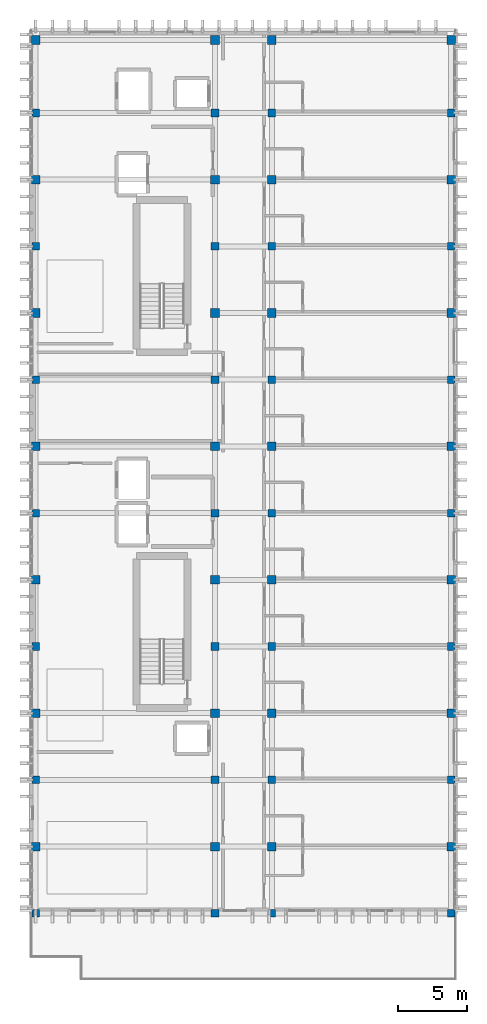
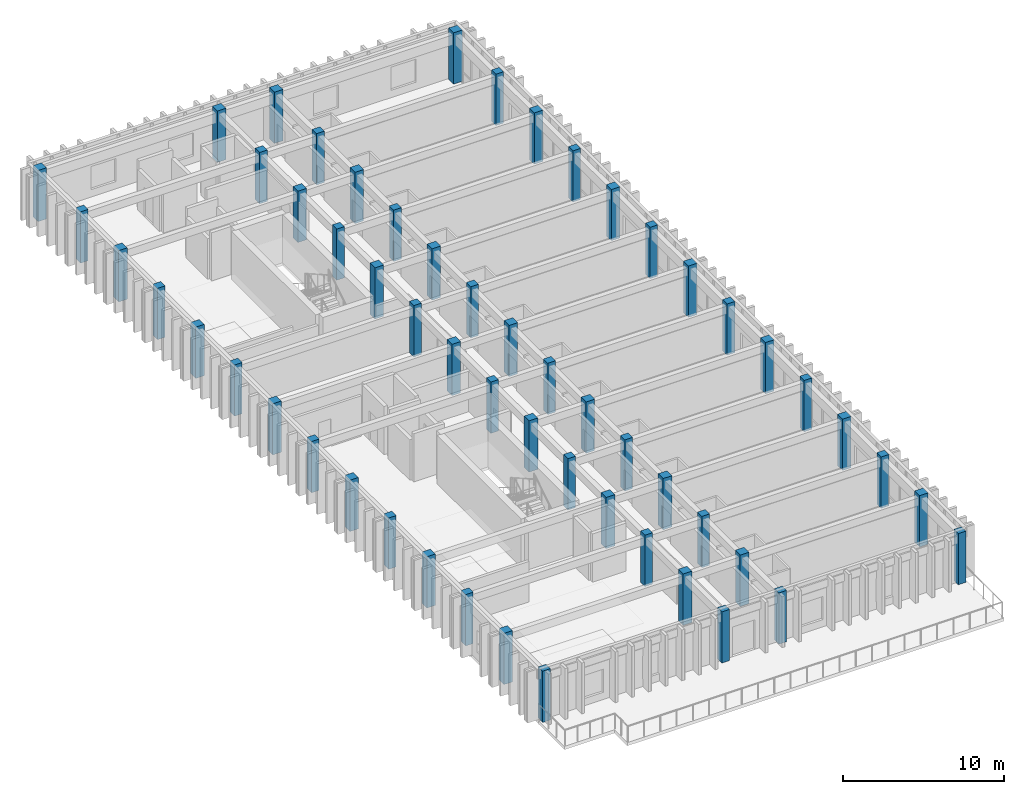
# One storey, part 1 of 50: 56 columns.
"""IFC4 building model written with IfcOpenShell, lengths in metres."""

from ifc_helpers import new_model, si_unit, direction, frame, origin, origin_2d, place, context, subcontext, project, spatial, rectangle, extrude, material, material_profile, profile_set, type_object, element, save


model = new_model("IFC4")

# Units and contexts
model_context = context("Model", 3, precision=1e-05, world=origin(), true_north=direction((0.0, 1.0)))
body_context = subcontext(model_context, "Body", "Model", "MODEL_VIEW")
ifc_project = project(units=[si_unit("LENGTHUNIT", "METRE"), si_unit("AREAUNIT", "SQUARE_METRE"), si_unit("VOLUMEUNIT", "CUBIC_METRE"), si_unit("PLANEANGLEUNIT", "RADIAN"), si_unit("MASSUNIT", "GRAM", prefix="KILO")], contexts=[model_context])

# Site, building, storey
site_placement = place(None, origin())
site = spatial("IfcSite", under=ifc_project, at=site_placement, CompositionType="ELEMENT")
building_placement = place(site_placement, origin())
building = spatial("IfcBuilding", under=site, at=building_placement, Name="Nakhvara Creek Congress Hotel", CompositionType="ELEMENT")
storey_placement = place(building_placement, frame((0.0, 0.0, 42.60009765625)))
storey = spatial("IfcBuildingStorey", under=building, at=storey_placement, Name="L10", CompositionType="ELEMENT", Elevation=42.60009765625)

# Columns
ifc_material = material(Name="Concrete C50/60", Category="concrete")
ifc_material_profile_1 = material_profile(ifc_material, rectangle(XDim=0.550048828125, YDim=0.550048828125, at=origin_2d()), Name="RC-COL 550x550", Category="LoadBearing")
ifc_profile_set_1 = profile_set([ifc_material_profile_1], Name="Concrete C50/60")
column_type_1 = type_object("IfcColumnType", Name="COL-RC-550", PredefinedType="COLUMN", material=ifc_profile_set_1)
for number, where, z_axis, x_axis, name in (
    (1, (149.449951171875, 62.39990234375, 0.0), (0.0, 0.0, 1.0), (1.0, 0.0, 0.0), "Column C09-L10-1847"),
    (2, (149.449951171875, 72.0, 0.0), (0.0, 0.0, 1.0), (1.0, 0.0, 0.0), "Column C09-L10-1848"),
    (3, (149.449951171875, 81.60009765625, 0.0), (0.0, 0.0, 1.0), (1.0, 0.0, 0.0), "Column C09-L10-1849"),
    (4, (149.449951171875, 91.199951171875, 0.0), (0.0, 0.0, 1.0), (1.0, 0.0, 0.0), "Column C09-L10-1850"),
    (5, (149.449951171875, 100.800048828125, 0.0), (0.0, 0.0, 1.0), (1.0, 0.0, 0.0), "Column C09-L10-1851"),
    (6, (149.449951171875, 110.39990234375, 0.0), (0.0, 0.0, 1.0), (1.0, 0.0, 0.0), "Column C09-L10-1852"),
    (7, (149.449951171875, 120.0, 0.0), (0.0, 0.0, 1.0), (1.0, 0.0, 0.0), "Column C09-L10-1853"),
    (8, (162.35009765625, 62.39990234375, 0.0), (0.0, 0.0, 1.0), (1.0, 0.0, 0.0), "Column C09-L10-1854"),
    (9, (162.35009765625, 72.0, 0.0), (0.0, 0.0, 1.0), (1.0, 0.0, 0.0), "Column C09-L10-1855"),
    (10, (162.35009765625, 81.60009765625, 0.0), (0.0, 0.0, 1.0), (1.0, 0.0, 0.0), "Column C09-L10-1856"),
    (11, (162.35009765625, 91.199951171875, 0.0), (0.0, 0.0, 1.0), (1.0, 0.0, 0.0), "Column C09-L10-1857"),
    (12, (162.35009765625, 100.800048828125, 0.0), (0.0, 0.0, 1.0), (1.0, 0.0, 0.0), "Column C09-L10-1858"),
    (13, (162.35009765625, 110.39990234375, 0.0), (0.0, 0.0, 1.0), (1.0, 0.0, 0.0), "Column C09-L10-1859"),
    (14, (162.35009765625, 120.0, 0.0), (0.0, 0.0, 1.0), (1.0, 0.0, 0.0), "Column C09-L10-1860"),
    (15, (166.449951171875, 62.39990234375, 0.0), (0.0, 0.0, 1.0), (1.0, 0.0, 0.0), "Column C09-L10-1861"),
    (16, (166.449951171875, 72.0, 0.0), (0.0, 0.0, 1.0), (1.0, 0.0, 0.0), "Column C09-L10-1862"),
    (17, (166.449951171875, 81.60009765625, 0.0), (0.0, 0.0, 1.0), (1.0, 0.0, 0.0), "Column C09-L10-1863"),
    (18, (166.449951171875, 91.199951171875, 0.0), (0.0, 0.0, 1.0), (1.0, 0.0, 0.0), "Column C09-L10-1864"),
    (19, (166.449951171875, 100.800048828125, 0.0), (0.0, 0.0, 1.0), (1.0, 0.0, 0.0), "Column C09-L10-1865"),
    (20, (166.449951171875, 110.39990234375, 0.0), (0.0, 0.0, 1.0), (1.0, 0.0, 0.0), "Column C09-L10-1866"),
    (21, (166.449951171875, 120.0, 0.0), (0.0, 0.0, 1.0), (1.0, 0.0, 0.0), "Column C09-L10-1867"),
    (22, (179.35009765625, 62.39990234375, 0.0), (0.0, 0.0, 1.0), (1.0, 0.0, 0.0), "Column C09-L10-1868"),
    (23, (179.35009765625, 72.0, 0.0), (0.0, 0.0, 1.0), (1.0, 0.0, 0.0), "Column C09-L10-1869"),
    (24, (179.35009765625, 81.60009765625, 0.0), (0.0, 0.0, 1.0), (1.0, 0.0, 0.0), "Column C09-L10-1870"),
    (25, (179.35009765625, 91.199951171875, 0.0), (0.0, 0.0, 1.0), (1.0, 0.0, 0.0), "Column C09-L10-1871"),
    (26, (179.35009765625, 100.800048828125, 0.0), (0.0, 0.0, 1.0), (1.0, 0.0, 0.0), "Column C09-L10-1872"),
    (27, (179.35009765625, 110.39990234375, 0.0), (0.0, 0.0, 1.0), (1.0, 0.0, 0.0), "Column C09-L10-1873"),
    (28, (179.35009765625, 120.0, 0.0), (0.0, 0.0, 1.0), (1.0, 0.0, 0.0), "Column C09-L10-1874"),
):
    element("IfcColumn", number, at=place(storey_placement, frame(where, z_axis=z_axis, x_axis=x_axis)), inside=storey, type_object=column_type_1, Name=name, PredefinedType="COLUMN", context=body_context, shape_type="SweptSolid", body=[
        extrude(rectangle(XDim=0.550048828125, YDim=0.550048828125, at=origin_2d()), origin(), (0.0, 0.0, 1.0), 3.89990234375),
    ])
ifc_material_profile_2 = material_profile(ifc_material, rectangle(XDim=0.6201171875, YDim=0.6201171875, at=origin_2d()), Name="RC-COL 620x620", Category="LoadBearing")
ifc_profile_set_2 = profile_set([ifc_material_profile_2], Name="Concrete C50/60")
column_type_2 = type_object("IfcColumnType", Name="COL-RC-620", PredefinedType="COLUMN", material=ifc_profile_set_2)
for number, where, z_axis, x_axis, name in (
    (29, (149.449951171875, 67.199951171875, 0.0), (0.0, 0.0, 1.0), (1.0, 0.0, 0.0), "Column C22-L10-1819"),
    (30, (149.449951171875, 76.800048828125, 0.0), (0.0, 0.0, 1.0), (1.0, 0.0, 0.0), "Column C22-L10-1820"),
    (31, (149.449951171875, 86.39990234375, 0.0), (0.0, 0.0, 1.0), (1.0, 0.0, 0.0), "Column C22-L10-1821"),
    (32, (149.449951171875, 96.0, 0.0), (0.0, 0.0, 1.0), (1.0, 0.0, 0.0), "Column C22-L10-1822"),
    (33, (149.449951171875, 105.60009765625, 0.0), (0.0, 0.0, 1.0), (1.0, 0.0, 0.0), "Column C22-L10-1823"),
    (34, (149.449951171875, 115.199951171875, 0.0), (0.0, 0.0, 1.0), (1.0, 0.0, 0.0), "Column C22-L10-1824"),
    (35, (149.449951171875, 125.25, 0.0), (0.0, 0.0, 1.0), (1.0, 0.0, 0.0), "Column C22-L10-1825"),
    (36, (162.35009765625, 67.199951171875, 0.0), (0.0, 0.0, 1.0), (1.0, 0.0, 0.0), "Column C22-L10-1826"),
    (37, (162.35009765625, 76.800048828125, 0.0), (0.0, 0.0, 1.0), (1.0, 0.0, 0.0), "Column C22-L10-1827"),
    (38, (162.35009765625, 86.39990234375, 0.0), (0.0, 0.0, 1.0), (1.0, 0.0, 0.0), "Column C22-L10-1828"),
    (39, (162.35009765625, 96.0, 0.0), (0.0, 0.0, 1.0), (1.0, 0.0, 0.0), "Column C22-L10-1829"),
    (40, (162.35009765625, 105.60009765625, 0.0), (0.0, 0.0, 1.0), (1.0, 0.0, 0.0), "Column C22-L10-1830"),
    (41, (162.35009765625, 115.199951171875, 0.0), (0.0, 0.0, 1.0), (1.0, 0.0, 0.0), "Column C22-L10-1831"),
    (42, (162.35009765625, 125.25, 0.0), (0.0, 0.0, 1.0), (1.0, 0.0, 0.0), "Column C22-L10-1832"),
    (43, (166.449951171875, 67.199951171875, 0.0), (0.0, 0.0, 1.0), (1.0, 0.0, 0.0), "Column C22-L10-1833"),
    (44, (166.449951171875, 76.800048828125, 0.0), (0.0, 0.0, 1.0), (1.0, 0.0, 0.0), "Column C22-L10-1834"),
    (45, (166.449951171875, 86.39990234375, 0.0), (0.0, 0.0, 1.0), (1.0, 0.0, 0.0), "Column C22-L10-1835"),
    (46, (166.449951171875, 96.0, 0.0), (0.0, 0.0, 1.0), (1.0, 0.0, 0.0), "Column C22-L10-1836"),
    (47, (166.449951171875, 105.60009765625, 0.0), (0.0, 0.0, 1.0), (1.0, 0.0, 0.0), "Column C22-L10-1837"),
    (48, (166.449951171875, 115.199951171875, 0.0), (0.0, 0.0, 1.0), (1.0, 0.0, 0.0), "Column C22-L10-1838"),
    (49, (166.449951171875, 125.25, 0.0), (0.0, 0.0, 1.0), (1.0, 0.0, 0.0), "Column C22-L10-1839"),
    (50, (179.35009765625, 67.199951171875, 0.0), (0.0, 0.0, 1.0), (1.0, 0.0, 0.0), "Column C22-L10-1840"),
    (51, (179.35009765625, 76.800048828125, 0.0), (0.0, 0.0, 1.0), (1.0, 0.0, 0.0), "Column C22-L10-1841"),
    (52, (179.35009765625, 86.39990234375, 0.0), (0.0, 0.0, 1.0), (1.0, 0.0, 0.0), "Column C22-L10-1842"),
    (53, (179.35009765625, 96.0, 0.0), (0.0, 0.0, 1.0), (1.0, 0.0, 0.0), "Column C22-L10-1843"),
    (54, (179.35009765625, 105.60009765625, 0.0), (0.0, 0.0, 1.0), (1.0, 0.0, 0.0), "Column C22-L10-1844"),
    (55, (179.35009765625, 115.199951171875, 0.0), (0.0, 0.0, 1.0), (1.0, 0.0, 0.0), "Column C22-L10-1845"),
    (56, (179.35009765625, 125.25, 0.0), (0.0, 0.0, 1.0), (1.0, 0.0, 0.0), "Column C22-L10-1846"),
):
    element("IfcColumn", number, at=place(storey_placement, frame(where, z_axis=z_axis, x_axis=x_axis)), inside=storey, type_object=column_type_2, Name=name, PredefinedType="COLUMN", context=body_context, shape_type="SweptSolid", body=[
        extrude(rectangle(XDim=0.6201171875, YDim=0.6201171875, at=origin_2d()), origin(), (0.0, 0.0, 1.0), 3.89990234375),
    ])

save(model, "model.ifc")
